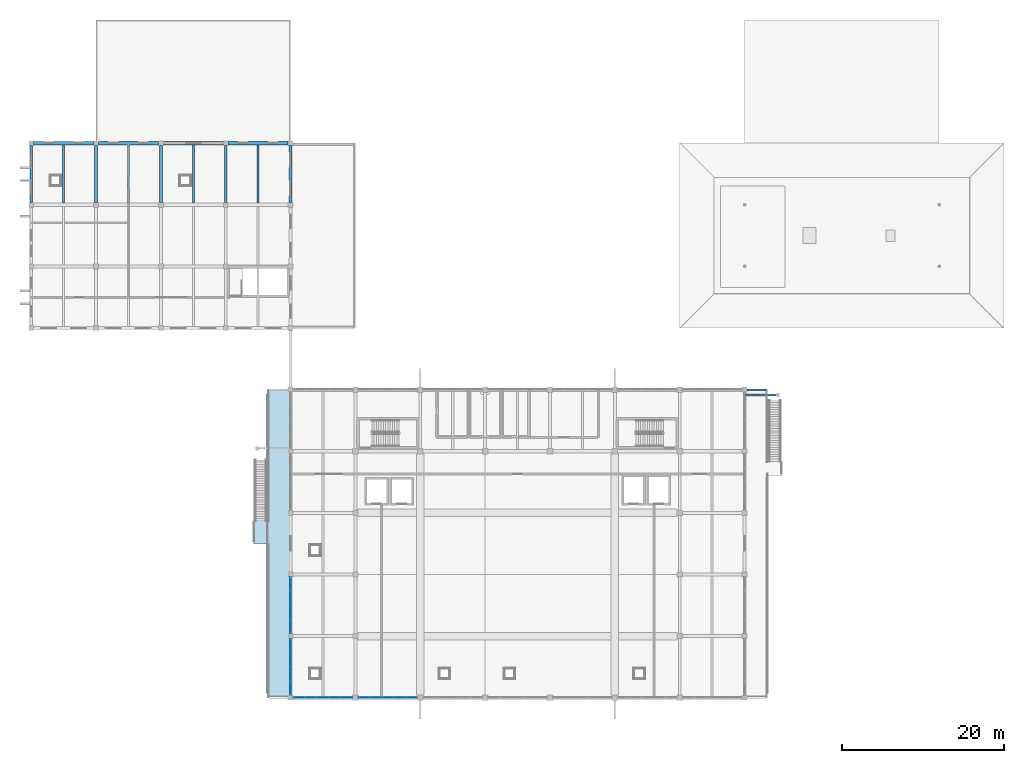
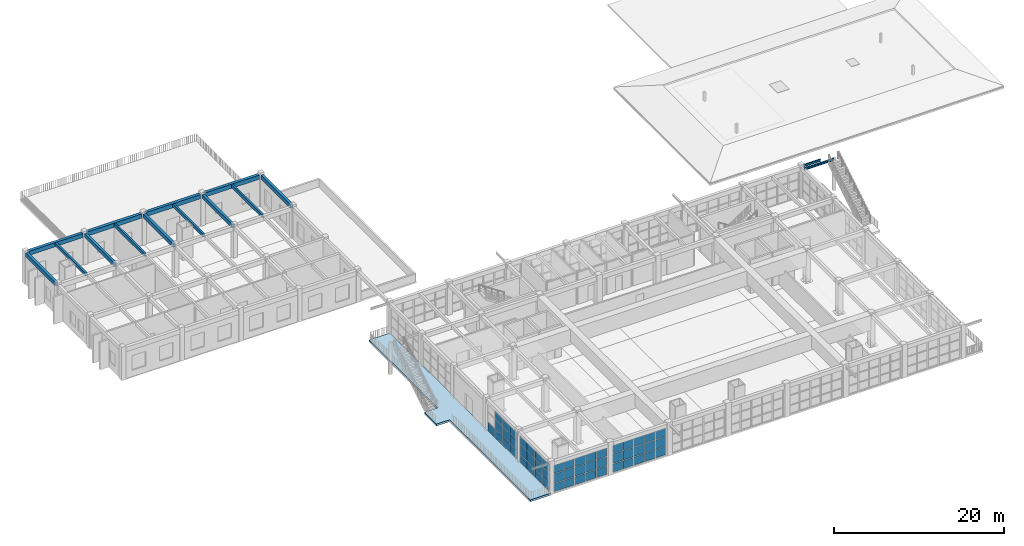
# One storey, part 29 of 50: 52 plates, 15 beams, 1 slab, 4 elements without a shape of their own.
"""IFC4 building model written with IfcOpenShell, lengths in metres."""

from ifc_helpers import new_model, si_unit, direction, frame, origin, origin_2d, place, context, subcontext, project, spatial, polyline, rectangle, i_section, outline, extrude, material, layer, layer_set, material_profile, profile_set, type_object, element, aggregate, save


model = new_model("IFC4")

# Units and contexts
model_context = context("Model", 3, precision=1e-05, world=origin(), true_north=direction((0.0, 1.0)))
body_context = subcontext(model_context, "Body", "Model", "MODEL_VIEW")
ifc_project = project(units=[si_unit("LENGTHUNIT", "METRE"), si_unit("AREAUNIT", "SQUARE_METRE"), si_unit("VOLUMEUNIT", "CUBIC_METRE"), si_unit("PLANEANGLEUNIT", "RADIAN"), si_unit("MASSUNIT", "GRAM", prefix="KILO")], contexts=[model_context])

# Site, building, storey
site_placement = place(None, origin())
site = spatial("IfcSite", under=ifc_project, at=site_placement, CompositionType="ELEMENT")
building_placement = place(site_placement, origin())
building = spatial("IfcBuilding", under=site, at=building_placement, Name="Zantavel Square City Hall", CompositionType="ELEMENT")
storey_placement = place(building_placement, frame((0.0, 0.0, 18.89990234375)))
storey = spatial("IfcBuildingStorey", under=building, at=storey_placement, Name="L05", CompositionType="ELEMENT", Elevation=18.89990234375)

# Beams
ifc_material_1 = material(Name="Concrete C35/45", Category="concrete")
ifc_material_profile_1 = material_profile(ifc_material_1, rectangle(XDim=0.25, YDim=0.449951171875, at=origin_2d()), Name="RC 250x450")
ifc_profile_set_1 = profile_set([ifc_material_profile_1], Name="Concrete C35/45")
beam_type_1 = type_object("IfcBeamType", Name="Light Floor Joist RC 250x450 C35/45", PredefinedType="JOIST", material=ifc_profile_set_1)
for number, where, z_axis, x_axis, name in (
    (1, (28.0, 91.39990234375, 4.295166015625), (0.0, 1.0, 0.0), (-1.0, 0.0, 0.0), "L05 Floor Joist JST-L05-0280-0912"),
    (2, (36.0, 91.39990234375, 4.295166015625), (0.0, 1.0, 0.0), (-1.0, 0.0, 0.0), "L05 Floor Joist JST-L05-0360-0912"),
    (3, (44.0, 91.39990234375, 4.295166015625), (0.0, 1.0, 0.0), (-1.0, 0.0, 0.0), "L05 Floor Joist JST-L05-0440-0912"),
    (4, (52.0, 91.39990234375, 4.295166015625), (0.0, 1.0, 0.0), (-1.0, 0.0, 0.0), "L05 Floor Joist JST-L05-0520-0912"),
):
    element("IfcBeam", number, at=place(storey_placement, frame(where, z_axis=z_axis, x_axis=x_axis)), inside=storey, type_object=beam_type_1, Name=name, PredefinedType="JOIST", context=body_context, shape_type="SweptSolid", body=[
        extrude(rectangle(XDim=0.25, YDim=0.449951171875, at=origin_2d()), origin(), (0.0, 0.0, 1.0), 7.2001953125),
    ])
ifc_material_profile_2 = material_profile(ifc_material_1, rectangle(XDim=0.39990234375, YDim=0.60009765625, at=origin_2d()), Name="RC 400x600")
ifc_profile_set_2 = profile_set([ifc_material_profile_2], Name="Concrete C35/45")
beam_type_2 = type_object("IfcBeamType", Name="Perimeter Spandrel RC 400x600 C35/45", PredefinedType="SPANDREL", material=ifc_profile_set_2)
for number, where, z_axis, x_axis, name in (
    (5, (24.300048828125, 98.800048828125, 4.22021484375), (1.0, 0.0, 0.0), (0.0, 1.0, 0.0), "L05 Girder BMX-L05-0240-0988"),
    (6, (32.300048828125, 98.800048828125, 4.22021484375), (1.0, 0.0, 0.0), (0.0, 1.0, 0.0), "L05 Girder BMX-L05-0320-0988"),
    (7, (40.300048828125, 98.800048828125, 4.22021484375), (1.0, 0.0, 0.0), (0.0, 1.0, 0.0), "L05 Girder BMX-L05-0400-0988"),
    (8, (48.300048828125, 98.800048828125, 4.22021484375), (1.0, 0.0, 0.0), (0.0, 1.0, 0.0), "L05 Girder BMX-L05-0480-0988"),
):
    element("IfcBeam", number, at=place(storey_placement, frame(where, z_axis=z_axis, x_axis=x_axis)), inside=storey, type_object=beam_type_2, Name=name, PredefinedType="SPANDREL", context=body_context, shape_type="SweptSolid", body=[
        extrude(rectangle(XDim=0.39990234375, YDim=0.60009765625, at=origin_2d()), origin(), (0.0, 0.0, 1.0), 7.39990234375),
    ])
ifc_material_profile_3 = material_profile(ifc_material_1, rectangle(XDim=0.35009765625, YDim=0.550048828125, at=origin_2d()), Name="RC 350x550")
ifc_profile_set_3 = profile_set([ifc_material_profile_3], Name="Concrete C35/45")
beam_type_3 = type_object("IfcBeamType", Name="Secondary Beam RC 350x550 C35/45", PredefinedType="BEAM", material=ifc_profile_set_3)
for number, where, z_axis, x_axis, name in (
    (9, (24.0, 91.5, 4.2451171875), (0.0, 1.0, 0.0), (-1.0, 0.0, 0.0), "L05 Beam BMY-L05-0240-0912"),
    (10, (32.0, 91.5, 4.2451171875), (0.0, 1.0, 0.0), (-1.0, 0.0, 0.0), "L05 Beam BMY-L05-0320-0912"),
    (11, (40.0, 91.5, 4.2451171875), (0.0, 1.0, 0.0), (-1.0, 0.0, 0.0), "L05 Beam BMY-L05-0400-0912"),
    (12, (48.0, 91.5, 4.2451171875), (0.0, 1.0, 0.0), (-1.0, 0.0, 0.0), "L05 Beam BMY-L05-0480-0912"),
    (13, (56.0, 91.5, 4.2451171875), (0.0, 1.0, 0.0), (-1.0, 0.0, 0.0), "L05 Beam BMY-L05-0560-0912"),
):
    element("IfcBeam", number, at=place(storey_placement, frame(where, z_axis=z_axis, x_axis=x_axis)), inside=storey, type_object=beam_type_3, Name=name, PredefinedType="BEAM", context=body_context, shape_type="SweptSolid", body=[
        extrude(rectangle(XDim=0.35009765625, YDim=0.550048828125, at=origin_2d()), origin(), (0.0, 0.0, 1.0), 7.0),
    ])
ifc_material_2 = material(Name="Steel ASTM A992 Grade 50", Category="steel")
ifc_material_profile_4 = material_profile(ifc_material_2, i_section(OverallWidth=0.1669921875, OverallDepth=0.31689453125, WebThickness=0.007568359375, FlangeThickness=0.01318359375, at=origin_2d()), Name="W310x52")
ifc_profile_set_4 = profile_set([ifc_material_profile_4], Name="Steel ASTM A992 Grade 50")
beam_type_4 = type_object("IfcBeamType", Name="Tray Corner Cantilever Outrigger W310x52", PredefinedType="BEAM", material=ifc_profile_set_4)
beam_1_placement = place(storey_placement, frame((112.300048828125, 68.39990234375, 4.361572265625), z_axis=(1.0, 0.0, 0.0), x_axis=(0.0, 1.0, 0.0)))
element("IfcBeam", 14, at=beam_1_placement, inside=storey, type_object=beam_type_4, Name="L05 Cantera Tray Outrigger NE", PredefinedType="BEAM", context=body_context, shape_type="SweptSolid", body=[
    extrude(i_section(OverallWidth=0.1669921875, OverallDepth=0.31689453125, WebThickness=0.007568359375, FlangeThickness=0.01318359375, at=origin_2d()), origin(), (0.0, 0.0, 1.0), 2.349853515625),
])
ifc_material_profile_5 = material_profile(ifc_material_2, i_section(OverallWidth=0.202880859375, OverallDepth=0.302978515625, WebThickness=0.007568359375, FlangeThickness=0.01318359375, at=origin_2d()), Name="W310x60")
ifc_profile_set_5 = profile_set([ifc_material_profile_5], Name="Steel ASTM A992 Grade 50")
beam_type_5 = type_object("IfcBeamType", Name="Tray Edge Steel Beam W310x60", PredefinedType="BEAM", material=ifc_profile_set_5)
beam_2_placement = place(storey_placement, frame((112.0, 67.7451171875, 4.37158203125), z_axis=(1.0, 0.0, 0.0), x_axis=(0.0, 1.0, 0.0)))
element("IfcBeam", 15, at=beam_2_placement, inside=storey, type_object=beam_type_5, Name="ST-TR3 L06 Landing Support Beam", PredefinedType="BEAM", context=body_context, shape_type="SweptSolid", body=[
    extrude(i_section(OverallWidth=0.202880859375, OverallDepth=0.302978515625, WebThickness=0.007568359375, FlangeThickness=0.01318359375, at=origin_2d()), origin(), (0.0, 0.0, 1.0), 4.10009765625),
])

# Curtain wall, plates
ifc_material_3 = material(Name="Anodised aluminium 6063-T6", Category="aluminium")
curtain_wall_type_1 = type_object("IfcCurtainWallType", Name="Curtain Wall TRV1 7300x3970", PredefinedType="USERDEFINED", material=ifc_material_3)
curtain_wall_1_placement = place(storey_placement, origin())
curtain_wall_1 = element("IfcCurtainWall", 16, at=curtain_wall_1_placement, inside=storey, type_object=curtain_wall_type_1, Name="L05 Glazed Curtain Wall CW-L05-138", ObjectType="GLAZED CURTAIN WALL", PredefinedType="USERDEFINED")
ifc_material_4 = material(Name="Tempered safety glass low-E double glazing", Category="glass")
ifc_layer_1 = layer(ifc_material_4, 0.028076171875, Name="Tempered safety glass low-E double glazing")
ifc_layer_set_1 = layer_set([ifc_layer_1], Name="Tempered safety glass low-E double glazing")
plate_type_1 = type_object("IfcPlateType", Name="Low-E Curtain Glazing Panel 1460x1323x28", PredefinedType="CURTAIN_PANEL", material=ifc_layer_set_1)
plate_1_placement = place(storey_placement, frame((70.905029296875, 30.39990234375, 0.06005859375), z_axis=(0.0, 0.0, 1.0), x_axis=(-1.0, 0.0, 0.0)))
plate_1 = element("IfcPlate", 17, at=plate_1_placement, type_object=plate_type_1, Name="CW-138 panel 1.1", PredefinedType="CURTAIN_PANEL", context=body_context, shape_type="SweptSolid", body=[
    extrude(rectangle(XDim=1.3701171875, YDim=0.028076171875, at=origin_2d()), origin(), (0.0, 0.0, 1.0), 1.179931640625),
])
plate_2_placement = place(storey_placement, frame((70.905029296875, 30.39990234375, 1.300048828125), z_axis=(0.0, 0.0, 1.0), x_axis=(-1.0, 0.0, 0.0)))
plate_2 = element("IfcPlate", 18, at=plate_2_placement, type_object=plate_type_1, Name="CW-138 panel 1.2", PredefinedType="CURTAIN_PANEL", context=body_context, shape_type="SweptSolid", body=[
    extrude(rectangle(XDim=1.3701171875, YDim=0.028076171875, at=origin_2d()), origin(), (0.0, 0.0, 1.0), 1.3701171875),
])
plate_3_placement = place(storey_placement, frame((70.905029296875, 30.39990234375, 2.72998046875), z_axis=(0.0, 0.0, 1.0), x_axis=(-1.0, 0.0, 0.0)))
plate_3 = element("IfcPlate", 19, at=plate_3_placement, type_object=plate_type_1, Name="CW-138 panel 1.3", PredefinedType="CURTAIN_PANEL", context=body_context, shape_type="SweptSolid", body=[
    extrude(rectangle(XDim=1.3701171875, YDim=0.028076171875, at=origin_2d()), origin(), (0.0, 0.0, 1.0), 1.179931640625),
])
plate_4_placement = place(storey_placement, frame((69.4599609375, 30.39990234375, 0.06005859375), z_axis=(0.0, 0.0, 1.0), x_axis=(-1.0, 0.0, 0.0)))
plate_4 = element("IfcPlate", 20, at=plate_4_placement, type_object=plate_type_1, Name="CW-138 panel 2.1", PredefinedType="CURTAIN_PANEL", context=body_context, shape_type="SweptSolid", body=[
    extrude(rectangle(XDim=1.39990234375, YDim=0.028076171875, at=origin_2d()), origin(), (0.0, 0.0, 1.0), 1.179931640625),
])
plate_5_placement = place(storey_placement, frame((69.4599609375, 30.39990234375, 1.300048828125), z_axis=(0.0, 0.0, 1.0), x_axis=(-1.0, 0.0, 0.0)))
plate_5 = element("IfcPlate", 21, at=plate_5_placement, type_object=plate_type_1, Name="CW-138 panel 2.2", PredefinedType="CURTAIN_PANEL", context=body_context, shape_type="SweptSolid", body=[
    extrude(rectangle(XDim=1.39990234375, YDim=0.028076171875, at=origin_2d()), origin(), (0.0, 0.0, 1.0), 1.3701171875),
])
plate_6_placement = place(storey_placement, frame((69.4599609375, 30.39990234375, 2.72998046875), z_axis=(0.0, 0.0, 1.0), x_axis=(-1.0, 0.0, 0.0)))
plate_6 = element("IfcPlate", 22, at=plate_6_placement, type_object=plate_type_1, Name="CW-138 panel 2.3", PredefinedType="CURTAIN_PANEL", context=body_context, shape_type="SweptSolid", body=[
    extrude(rectangle(XDim=1.39990234375, YDim=0.028076171875, at=origin_2d()), origin(), (0.0, 0.0, 1.0), 1.179931640625),
])
plate_7_placement = place(storey_placement, frame((68.0, 30.39990234375, 0.06005859375), z_axis=(0.0, 0.0, 1.0), x_axis=(-1.0, 0.0, 0.0)))
plate_7 = element("IfcPlate", 23, at=plate_7_placement, type_object=plate_type_1, Name="CW-138 panel 3.1", PredefinedType="CURTAIN_PANEL", context=body_context, shape_type="SweptSolid", body=[
    extrude(rectangle(XDim=1.39990234375, YDim=0.028076171875, at=origin_2d()), origin(), (0.0, 0.0, 1.0), 1.179931640625),
])
plate_8_placement = place(storey_placement, frame((68.0, 30.39990234375, 1.300048828125), z_axis=(0.0, 0.0, 1.0), x_axis=(-1.0, 0.0, 0.0)))
plate_8 = element("IfcPlate", 24, at=plate_8_placement, type_object=plate_type_1, Name="CW-138 panel 3.2", PredefinedType="CURTAIN_PANEL", context=body_context, shape_type="SweptSolid", body=[
    extrude(rectangle(XDim=1.39990234375, YDim=0.028076171875, at=origin_2d()), origin(), (0.0, 0.0, 1.0), 1.3701171875),
])
plate_9_placement = place(storey_placement, frame((68.0, 30.39990234375, 2.72998046875), z_axis=(0.0, 0.0, 1.0), x_axis=(-1.0, 0.0, 0.0)))
plate_9 = element("IfcPlate", 25, at=plate_9_placement, type_object=plate_type_1, Name="CW-138 panel 3.3", PredefinedType="CURTAIN_PANEL", context=body_context, shape_type="SweptSolid", body=[
    extrude(rectangle(XDim=1.39990234375, YDim=0.028076171875, at=origin_2d()), origin(), (0.0, 0.0, 1.0), 1.179931640625),
])
plate_10_placement = place(storey_placement, frame((66.5400390625, 30.39990234375, 0.06005859375), z_axis=(0.0, 0.0, 1.0), x_axis=(-1.0, 0.0, 0.0)))
plate_10 = element("IfcPlate", 26, at=plate_10_placement, type_object=plate_type_1, Name="CW-138 panel 4.1", PredefinedType="CURTAIN_PANEL", context=body_context, shape_type="SweptSolid", body=[
    extrude(rectangle(XDim=1.39990234375, YDim=0.028076171875, at=origin_2d()), origin(), (0.0, 0.0, 1.0), 1.179931640625),
])
plate_11_placement = place(storey_placement, frame((66.5400390625, 30.39990234375, 1.300048828125), z_axis=(0.0, 0.0, 1.0), x_axis=(-1.0, 0.0, 0.0)))
plate_11 = element("IfcPlate", 27, at=plate_11_placement, type_object=plate_type_1, Name="CW-138 panel 4.2", PredefinedType="CURTAIN_PANEL", context=body_context, shape_type="SweptSolid", body=[
    extrude(rectangle(XDim=1.39990234375, YDim=0.028076171875, at=origin_2d()), origin(), (0.0, 0.0, 1.0), 1.3701171875),
])
plate_12_placement = place(storey_placement, frame((66.5400390625, 30.39990234375, 2.72998046875), z_axis=(0.0, 0.0, 1.0), x_axis=(-1.0, 0.0, 0.0)))
plate_12 = element("IfcPlate", 28, at=plate_12_placement, type_object=plate_type_1, Name="CW-138 panel 4.3", PredefinedType="CURTAIN_PANEL", context=body_context, shape_type="SweptSolid", body=[
    extrude(rectangle(XDim=1.39990234375, YDim=0.028076171875, at=origin_2d()), origin(), (0.0, 0.0, 1.0), 1.179931640625),
])
plate_13_placement = place(storey_placement, frame((65.094970703125, 30.39990234375, 0.06005859375), z_axis=(0.0, 0.0, 1.0), x_axis=(-1.0, 0.0, 0.0)))
plate_13 = element("IfcPlate", 29, at=plate_13_placement, type_object=plate_type_1, Name="CW-138 panel 5.1", PredefinedType="CURTAIN_PANEL", context=body_context, shape_type="SweptSolid", body=[
    extrude(rectangle(XDim=1.3701171875, YDim=0.028076171875, at=origin_2d()), origin(), (0.0, 0.0, 1.0), 1.179931640625),
])
plate_14_placement = place(storey_placement, frame((65.094970703125, 30.39990234375, 1.300048828125), z_axis=(0.0, 0.0, 1.0), x_axis=(-1.0, 0.0, 0.0)))
plate_14 = element("IfcPlate", 30, at=plate_14_placement, type_object=plate_type_1, Name="CW-138 panel 5.2", PredefinedType="CURTAIN_PANEL", context=body_context, shape_type="SweptSolid", body=[
    extrude(rectangle(XDim=1.3701171875, YDim=0.028076171875, at=origin_2d()), origin(), (0.0, 0.0, 1.0), 1.3701171875),
])
plate_15_placement = place(storey_placement, frame((65.094970703125, 30.39990234375, 2.72998046875), z_axis=(0.0, 0.0, 1.0), x_axis=(-1.0, 0.0, 0.0)))
plate_15 = element("IfcPlate", 31, at=plate_15_placement, type_object=plate_type_1, Name="CW-138 panel 5.3", PredefinedType="CURTAIN_PANEL", context=body_context, shape_type="SweptSolid", body=[
    extrude(rectangle(XDim=1.3701171875, YDim=0.028076171875, at=origin_2d()), origin(), (0.0, 0.0, 1.0), 1.179931640625),
])
aggregate(curtain_wall_1, [plate_1, plate_2, plate_3, plate_4, plate_5, plate_6, plate_7, plate_8, plate_9, plate_10, plate_11, plate_12, plate_13, plate_14, plate_15])

curtain_wall_type_2 = type_object("IfcCurtainWallType", Name="Curtain Wall TRV1 7350x3920", PredefinedType="USERDEFINED", material=ifc_material_3)
curtain_wall_2_placement = place(storey_placement, origin())
curtain_wall_2 = element("IfcCurtainWall", 32, at=curtain_wall_2_placement, inside=storey, type_object=curtain_wall_type_2, Name="L05 Glazed Curtain Wall CW-L05-139", ObjectType="GLAZED CURTAIN WALL", PredefinedType="USERDEFINED")
ifc_layer_2 = layer(ifc_material_4, 0.028076171875, Name="Tempered safety glass low-E double glazing")
ifc_layer_set_2 = layer_set([ifc_layer_2], Name="Tempered safety glass low-E double glazing")
plate_type_2 = type_object("IfcPlateType", Name="Low-E Curtain Glazing Panel 1470x1307x28", PredefinedType="CURTAIN_PANEL", material=ifc_layer_set_2)
plate_16_placement = place(storey_placement, frame((62.89990234375, 30.39990234375, 0.06005859375), z_axis=(0.0, 0.0, 1.0), x_axis=(-1.0, 0.0, 0.0)))
plate_16 = element("IfcPlate", 33, at=plate_16_placement, type_object=plate_type_2, Name="CW-139 panel 1.1", PredefinedType="CURTAIN_PANEL", context=body_context, shape_type="SweptSolid", body=[
    extrude(rectangle(XDim=1.3798828125, YDim=0.028076171875, at=origin_2d()), origin(), (0.0, 0.0, 1.0), 1.1640625),
])
plate_17_placement = place(storey_placement, frame((62.89990234375, 30.39990234375, 1.2841796875), z_axis=(0.0, 0.0, 1.0), x_axis=(-1.0, 0.0, 0.0)))
plate_17 = element("IfcPlate", 34, at=plate_17_placement, type_object=plate_type_2, Name="CW-139 panel 1.2", PredefinedType="CURTAIN_PANEL", context=body_context, shape_type="SweptSolid", body=[
    extrude(rectangle(XDim=1.3798828125, YDim=0.028076171875, at=origin_2d()), origin(), (0.0, 0.0, 1.0), 1.35205078125),
])
plate_18_placement = place(storey_placement, frame((62.89990234375, 30.39990234375, 2.696044921875), z_axis=(0.0, 0.0, 1.0), x_axis=(-1.0, 0.0, 0.0)))
plate_18 = element("IfcPlate", 35, at=plate_18_placement, type_object=plate_type_2, Name="CW-139 panel 1.3", PredefinedType="CURTAIN_PANEL", context=body_context, shape_type="SweptSolid", body=[
    extrude(rectangle(XDim=1.3798828125, YDim=0.028076171875, at=origin_2d()), origin(), (0.0, 0.0, 1.0), 1.1640625),
])
plate_19_placement = place(storey_placement, frame((61.445068359375, 30.39990234375, 0.06005859375), z_axis=(0.0, 0.0, 1.0), x_axis=(-1.0, 0.0, 0.0)))
plate_19 = element("IfcPlate", 36, at=plate_19_placement, type_object=plate_type_2, Name="CW-139 panel 2.1", PredefinedType="CURTAIN_PANEL", context=body_context, shape_type="SweptSolid", body=[
    extrude(rectangle(XDim=1.409912109375, YDim=0.028076171875, at=origin_2d()), origin(), (0.0, 0.0, 1.0), 1.1640625),
])
plate_20_placement = place(storey_placement, frame((61.445068359375, 30.39990234375, 1.2841796875), z_axis=(0.0, 0.0, 1.0), x_axis=(-1.0, 0.0, 0.0)))
plate_20 = element("IfcPlate", 37, at=plate_20_placement, type_object=plate_type_2, Name="CW-139 panel 2.2", PredefinedType="CURTAIN_PANEL", context=body_context, shape_type="SweptSolid", body=[
    extrude(rectangle(XDim=1.409912109375, YDim=0.028076171875, at=origin_2d()), origin(), (0.0, 0.0, 1.0), 1.35205078125),
])
plate_21_placement = place(storey_placement, frame((61.445068359375, 30.39990234375, 2.696044921875), z_axis=(0.0, 0.0, 1.0), x_axis=(-1.0, 0.0, 0.0)))
plate_21 = element("IfcPlate", 38, at=plate_21_placement, type_object=plate_type_2, Name="CW-139 panel 2.3", PredefinedType="CURTAIN_PANEL", context=body_context, shape_type="SweptSolid", body=[
    extrude(rectangle(XDim=1.409912109375, YDim=0.028076171875, at=origin_2d()), origin(), (0.0, 0.0, 1.0), 1.1640625),
])
plate_22_placement = place(storey_placement, frame((59.97509765625, 30.39990234375, 0.06005859375), z_axis=(0.0, 0.0, 1.0), x_axis=(-1.0, 0.0, 0.0)))
plate_22 = element("IfcPlate", 39, at=plate_22_placement, type_object=plate_type_2, Name="CW-139 panel 3.1", PredefinedType="CURTAIN_PANEL", context=body_context, shape_type="SweptSolid", body=[
    extrude(rectangle(XDim=1.409912109375, YDim=0.028076171875, at=origin_2d()), origin(), (0.0, 0.0, 1.0), 1.1640625),
])
plate_23_placement = place(storey_placement, frame((59.97509765625, 30.39990234375, 1.2841796875), z_axis=(0.0, 0.0, 1.0), x_axis=(-1.0, 0.0, 0.0)))
plate_23 = element("IfcPlate", 40, at=plate_23_placement, type_object=plate_type_2, Name="CW-139 panel 3.2", PredefinedType="CURTAIN_PANEL", context=body_context, shape_type="SweptSolid", body=[
    extrude(rectangle(XDim=1.409912109375, YDim=0.028076171875, at=origin_2d()), origin(), (0.0, 0.0, 1.0), 1.35205078125),
])
plate_24_placement = place(storey_placement, frame((59.97509765625, 30.39990234375, 2.696044921875), z_axis=(0.0, 0.0, 1.0), x_axis=(-1.0, 0.0, 0.0)))
plate_24 = element("IfcPlate", 41, at=plate_24_placement, type_object=plate_type_2, Name="CW-139 panel 3.3", PredefinedType="CURTAIN_PANEL", context=body_context, shape_type="SweptSolid", body=[
    extrude(rectangle(XDim=1.409912109375, YDim=0.028076171875, at=origin_2d()), origin(), (0.0, 0.0, 1.0), 1.1640625),
])
plate_25_placement = place(storey_placement, frame((58.5048828125, 30.39990234375, 0.06005859375), z_axis=(0.0, 0.0, 1.0), x_axis=(-1.0, 0.0, 0.0)))
plate_25 = element("IfcPlate", 42, at=plate_25_placement, type_object=plate_type_2, Name="CW-139 panel 4.1", PredefinedType="CURTAIN_PANEL", context=body_context, shape_type="SweptSolid", body=[
    extrude(rectangle(XDim=1.409912109375, YDim=0.028076171875, at=origin_2d()), origin(), (0.0, 0.0, 1.0), 1.1640625),
])
plate_26_placement = place(storey_placement, frame((58.5048828125, 30.39990234375, 1.2841796875), z_axis=(0.0, 0.0, 1.0), x_axis=(-1.0, 0.0, 0.0)))
plate_26 = element("IfcPlate", 43, at=plate_26_placement, type_object=plate_type_2, Name="CW-139 panel 4.2", PredefinedType="CURTAIN_PANEL", context=body_context, shape_type="SweptSolid", body=[
    extrude(rectangle(XDim=1.409912109375, YDim=0.028076171875, at=origin_2d()), origin(), (0.0, 0.0, 1.0), 1.35205078125),
])
plate_27_placement = place(storey_placement, frame((58.5048828125, 30.39990234375, 2.696044921875), z_axis=(0.0, 0.0, 1.0), x_axis=(-1.0, 0.0, 0.0)))
plate_27 = element("IfcPlate", 44, at=plate_27_placement, type_object=plate_type_2, Name="CW-139 panel 4.3", PredefinedType="CURTAIN_PANEL", context=body_context, shape_type="SweptSolid", body=[
    extrude(rectangle(XDim=1.409912109375, YDim=0.028076171875, at=origin_2d()), origin(), (0.0, 0.0, 1.0), 1.1640625),
])
plate_28_placement = place(storey_placement, frame((57.050048828125, 30.39990234375, 0.06005859375), z_axis=(0.0, 0.0, 1.0), x_axis=(-1.0, 0.0, 0.0)))
plate_28 = element("IfcPlate", 45, at=plate_28_placement, type_object=plate_type_2, Name="CW-139 panel 5.1", PredefinedType="CURTAIN_PANEL", context=body_context, shape_type="SweptSolid", body=[
    extrude(rectangle(XDim=1.3798828125, YDim=0.028076171875, at=origin_2d()), origin(), (0.0, 0.0, 1.0), 1.1640625),
])
plate_29_placement = place(storey_placement, frame((57.050048828125, 30.39990234375, 1.2841796875), z_axis=(0.0, 0.0, 1.0), x_axis=(-1.0, 0.0, 0.0)))
plate_29 = element("IfcPlate", 46, at=plate_29_placement, type_object=plate_type_2, Name="CW-139 panel 5.2", PredefinedType="CURTAIN_PANEL", context=body_context, shape_type="SweptSolid", body=[
    extrude(rectangle(XDim=1.3798828125, YDim=0.028076171875, at=origin_2d()), origin(), (0.0, 0.0, 1.0), 1.35205078125),
])
plate_30_placement = place(storey_placement, frame((57.050048828125, 30.39990234375, 2.696044921875), z_axis=(0.0, 0.0, 1.0), x_axis=(-1.0, 0.0, 0.0)))
plate_30 = element("IfcPlate", 47, at=plate_30_placement, type_object=plate_type_2, Name="CW-139 panel 5.3", PredefinedType="CURTAIN_PANEL", context=body_context, shape_type="SweptSolid", body=[
    extrude(rectangle(XDim=1.3798828125, YDim=0.028076171875, at=origin_2d()), origin(), (0.0, 0.0, 1.0), 1.1640625),
])
aggregate(curtain_wall_2, [plate_16, plate_17, plate_18, plate_19, plate_20, plate_21, plate_22, plate_23, plate_24, plate_25, plate_26, plate_27, plate_28, plate_29, plate_30])

curtain_wall_type_3 = type_object("IfcCurtainWallType", Name="Curtain Wall TRV1 7000x3970", PredefinedType="USERDEFINED", material=ifc_material_3)
curtain_wall_3_placement = place(storey_placement, origin())
curtain_wall_3 = element("IfcCurtainWall", 48, at=curtain_wall_3_placement, inside=storey, type_object=curtain_wall_type_3, Name="L05 Glazed Curtain Wall CW-L05-140", ObjectType="GLAZED CURTAIN WALL", PredefinedType="USERDEFINED")
ifc_layer_3 = layer(ifc_material_4, 0.028076171875, Name="Tempered safety glass low-E double glazing")
ifc_layer_set_3 = layer_set([ifc_layer_3], Name="Tempered safety glass low-E double glazing")
plate_type_3 = type_object("IfcPlateType", Name="Low-E Curtain Glazing Panel 1750x1323x28", PredefinedType="CURTAIN_PANEL", material=ifc_layer_set_3)
plate_31_placement = place(storey_placement, frame((56.0, 31.590087890625, 0.06005859375), z_axis=(0.0, 0.0, 1.0), x_axis=(0.0, 1.0, 0.0)))
plate_31 = element("IfcPlate", 49, at=plate_31_placement, type_object=plate_type_3, Name="CW-140 panel 1.1", PredefinedType="CURTAIN_PANEL", context=body_context, shape_type="SweptSolid", body=[
    extrude(rectangle(XDim=1.659912109375, YDim=0.028076171875, at=origin_2d()), origin(), (0.0, 0.0, 1.0), 1.179931640625),
])
plate_32_placement = place(storey_placement, frame((56.0, 31.590087890625, 1.300048828125), z_axis=(0.0, 0.0, 1.0), x_axis=(0.0, 1.0, 0.0)))
plate_32 = element("IfcPlate", 50, at=plate_32_placement, type_object=plate_type_3, Name="CW-140 panel 1.2", PredefinedType="CURTAIN_PANEL", context=body_context, shape_type="SweptSolid", body=[
    extrude(rectangle(XDim=1.659912109375, YDim=0.028076171875, at=origin_2d()), origin(), (0.0, 0.0, 1.0), 1.3701171875),
])
plate_33_placement = place(storey_placement, frame((56.0, 31.590087890625, 2.72998046875), z_axis=(0.0, 0.0, 1.0), x_axis=(0.0, 1.0, 0.0)))
plate_33 = element("IfcPlate", 51, at=plate_33_placement, type_object=plate_type_3, Name="CW-140 panel 1.3", PredefinedType="CURTAIN_PANEL", context=body_context, shape_type="SweptSolid", body=[
    extrude(rectangle(XDim=1.659912109375, YDim=0.028076171875, at=origin_2d()), origin(), (0.0, 0.0, 1.0), 1.179931640625),
])
plate_34_placement = place(storey_placement, frame((56.0, 33.324951171875, 0.06005859375), z_axis=(0.0, 0.0, 1.0), x_axis=(0.0, 1.0, 0.0)))
plate_34 = element("IfcPlate", 52, at=plate_34_placement, type_object=plate_type_3, Name="CW-140 panel 2.1", PredefinedType="CURTAIN_PANEL", context=body_context, shape_type="SweptSolid", body=[
    extrude(rectangle(XDim=1.68994140625, YDim=0.028076171875, at=origin_2d()), origin(), (0.0, 0.0, 1.0), 1.179931640625),
])
plate_35_placement = place(storey_placement, frame((56.0, 33.324951171875, 1.300048828125), z_axis=(0.0, 0.0, 1.0), x_axis=(0.0, 1.0, 0.0)))
plate_35 = element("IfcPlate", 53, at=plate_35_placement, type_object=plate_type_3, Name="CW-140 panel 2.2", PredefinedType="CURTAIN_PANEL", context=body_context, shape_type="SweptSolid", body=[
    extrude(rectangle(XDim=1.68994140625, YDim=0.028076171875, at=origin_2d()), origin(), (0.0, 0.0, 1.0), 1.3701171875),
])
plate_36_placement = place(storey_placement, frame((56.0, 33.324951171875, 2.72998046875), z_axis=(0.0, 0.0, 1.0), x_axis=(0.0, 1.0, 0.0)))
plate_36 = element("IfcPlate", 54, at=plate_36_placement, type_object=plate_type_3, Name="CW-140 panel 2.3", PredefinedType="CURTAIN_PANEL", context=body_context, shape_type="SweptSolid", body=[
    extrude(rectangle(XDim=1.68994140625, YDim=0.028076171875, at=origin_2d()), origin(), (0.0, 0.0, 1.0), 1.179931640625),
])
plate_37_placement = place(storey_placement, frame((56.0, 35.074951171875, 0.06005859375), z_axis=(0.0, 0.0, 1.0), x_axis=(0.0, 1.0, 0.0)))
plate_37 = element("IfcPlate", 55, at=plate_37_placement, type_object=plate_type_3, Name="CW-140 panel 3.1", PredefinedType="CURTAIN_PANEL", context=body_context, shape_type="SweptSolid", body=[
    extrude(rectangle(XDim=1.68994140625, YDim=0.028076171875, at=origin_2d()), origin(), (0.0, 0.0, 1.0), 1.179931640625),
])
plate_38_placement = place(storey_placement, frame((56.0, 35.074951171875, 1.300048828125), z_axis=(0.0, 0.0, 1.0), x_axis=(0.0, 1.0, 0.0)))
plate_38 = element("IfcPlate", 56, at=plate_38_placement, type_object=plate_type_3, Name="CW-140 panel 3.2", PredefinedType="CURTAIN_PANEL", context=body_context, shape_type="SweptSolid", body=[
    extrude(rectangle(XDim=1.68994140625, YDim=0.028076171875, at=origin_2d()), origin(), (0.0, 0.0, 1.0), 1.3701171875),
])
plate_39_placement = place(storey_placement, frame((56.0, 35.074951171875, 2.72998046875), z_axis=(0.0, 0.0, 1.0), x_axis=(0.0, 1.0, 0.0)))
plate_39 = element("IfcPlate", 57, at=plate_39_placement, type_object=plate_type_3, Name="CW-140 panel 3.3", PredefinedType="CURTAIN_PANEL", context=body_context, shape_type="SweptSolid", body=[
    extrude(rectangle(XDim=1.68994140625, YDim=0.028076171875, at=origin_2d()), origin(), (0.0, 0.0, 1.0), 1.179931640625),
])
plate_40_placement = place(storey_placement, frame((56.0, 36.81005859375, 0.06005859375), z_axis=(0.0, 0.0, 1.0), x_axis=(0.0, 1.0, 0.0)))
plate_40 = element("IfcPlate", 58, at=plate_40_placement, type_object=plate_type_3, Name="CW-140 panel 4.1", PredefinedType="CURTAIN_PANEL", context=body_context, shape_type="SweptSolid", body=[
    extrude(rectangle(XDim=1.659912109375, YDim=0.028076171875, at=origin_2d()), origin(), (0.0, 0.0, 1.0), 1.179931640625),
])
plate_41_placement = place(storey_placement, frame((56.0, 36.81005859375, 1.300048828125), z_axis=(0.0, 0.0, 1.0), x_axis=(0.0, 1.0, 0.0)))
plate_41 = element("IfcPlate", 59, at=plate_41_placement, type_object=plate_type_3, Name="CW-140 panel 4.2", PredefinedType="CURTAIN_PANEL", context=body_context, shape_type="SweptSolid", body=[
    extrude(rectangle(XDim=1.659912109375, YDim=0.028076171875, at=origin_2d()), origin(), (0.0, 0.0, 1.0), 1.3701171875),
])
plate_42_placement = place(storey_placement, frame((56.0, 36.81005859375, 2.72998046875), z_axis=(0.0, 0.0, 1.0), x_axis=(0.0, 1.0, 0.0)))
plate_42 = element("IfcPlate", 60, at=plate_42_placement, type_object=plate_type_3, Name="CW-140 panel 4.3", PredefinedType="CURTAIN_PANEL", context=body_context, shape_type="SweptSolid", body=[
    extrude(rectangle(XDim=1.659912109375, YDim=0.028076171875, at=origin_2d()), origin(), (0.0, 0.0, 1.0), 1.179931640625),
])
aggregate(curtain_wall_3, [plate_31, plate_32, plate_33, plate_34, plate_35, plate_36, plate_37, plate_38, plate_39, plate_40, plate_41, plate_42])

curtain_wall_4_placement = place(storey_placement, origin())
curtain_wall_4 = element("IfcCurtainWall", 61, at=curtain_wall_4_placement, inside=storey, type_object=curtain_wall_type_3, Name="L05 Glazed Curtain Wall CW-L05-141", ObjectType="GLAZED CURTAIN WALL", PredefinedType="USERDEFINED")
plate_43_placement = place(storey_placement, frame((56.0, 39.18994140625, 0.06005859375), z_axis=(0.0, 0.0, 1.0), x_axis=(0.0, 1.0, 0.0)))
plate_43 = element("IfcPlate", 62, at=plate_43_placement, type_object=plate_type_3, Name="CW-141 panel 1.1", PredefinedType="CURTAIN_PANEL", context=body_context, shape_type="SweptSolid", body=[
    extrude(rectangle(XDim=1.659912109375, YDim=0.028076171875, at=origin_2d()), origin(), (0.0, 0.0, 1.0), 1.179931640625),
])
plate_44_placement = place(storey_placement, frame((56.0, 39.18994140625, 1.300048828125), z_axis=(0.0, 0.0, 1.0), x_axis=(0.0, 1.0, 0.0)))
plate_44 = element("IfcPlate", 63, at=plate_44_placement, type_object=plate_type_3, Name="CW-141 panel 1.2", PredefinedType="CURTAIN_PANEL", context=body_context, shape_type="SweptSolid", body=[
    extrude(rectangle(XDim=1.659912109375, YDim=0.028076171875, at=origin_2d()), origin(), (0.0, 0.0, 1.0), 1.3701171875),
])
plate_45_placement = place(storey_placement, frame((56.0, 39.18994140625, 2.72998046875), z_axis=(0.0, 0.0, 1.0), x_axis=(0.0, 1.0, 0.0)))
plate_45 = element("IfcPlate", 64, at=plate_45_placement, type_object=plate_type_3, Name="CW-141 panel 1.3", PredefinedType="CURTAIN_PANEL", context=body_context, shape_type="SweptSolid", body=[
    extrude(rectangle(XDim=1.659912109375, YDim=0.028076171875, at=origin_2d()), origin(), (0.0, 0.0, 1.0), 1.179931640625),
])
plate_46_placement = place(storey_placement, frame((56.0, 40.925048828125, 0.06005859375), z_axis=(0.0, 0.0, 1.0), x_axis=(0.0, 1.0, 0.0)))
plate_46 = element("IfcPlate", 65, at=plate_46_placement, type_object=plate_type_3, Name="CW-141 panel 2.1", PredefinedType="CURTAIN_PANEL", context=body_context, shape_type="SweptSolid", body=[
    extrude(rectangle(XDim=1.68994140625, YDim=0.028076171875, at=origin_2d()), origin(), (0.0, 0.0, 1.0), 1.179931640625),
])
plate_47_placement = place(storey_placement, frame((56.0, 40.925048828125, 1.300048828125), z_axis=(0.0, 0.0, 1.0), x_axis=(0.0, 1.0, 0.0)))
plate_47 = element("IfcPlate", 66, at=plate_47_placement, type_object=plate_type_3, Name="CW-141 panel 2.2", PredefinedType="CURTAIN_PANEL", context=body_context, shape_type="SweptSolid", body=[
    extrude(rectangle(XDim=1.68994140625, YDim=0.028076171875, at=origin_2d()), origin(), (0.0, 0.0, 1.0), 1.3701171875),
])
plate_48_placement = place(storey_placement, frame((56.0, 40.925048828125, 2.72998046875), z_axis=(0.0, 0.0, 1.0), x_axis=(0.0, 1.0, 0.0)))
plate_48 = element("IfcPlate", 67, at=plate_48_placement, type_object=plate_type_3, Name="CW-141 panel 2.3", PredefinedType="CURTAIN_PANEL", context=body_context, shape_type="SweptSolid", body=[
    extrude(rectangle(XDim=1.68994140625, YDim=0.028076171875, at=origin_2d()), origin(), (0.0, 0.0, 1.0), 1.179931640625),
])
plate_49_placement = place(storey_placement, frame((56.0, 42.675048828125, 0.06005859375), z_axis=(0.0, 0.0, 1.0), x_axis=(0.0, 1.0, 0.0)))
plate_49 = element("IfcPlate", 68, at=plate_49_placement, type_object=plate_type_3, Name="CW-141 panel 3.1", PredefinedType="CURTAIN_PANEL", context=body_context, shape_type="SweptSolid", body=[
    extrude(rectangle(XDim=1.68994140625, YDim=0.028076171875, at=origin_2d()), origin(), (0.0, 0.0, 1.0), 1.179931640625),
])
plate_50_placement = place(storey_placement, frame((56.0, 42.675048828125, 1.300048828125), z_axis=(0.0, 0.0, 1.0), x_axis=(0.0, 1.0, 0.0)))
plate_50 = element("IfcPlate", 69, at=plate_50_placement, type_object=plate_type_3, Name="CW-141 panel 3.2", PredefinedType="CURTAIN_PANEL", context=body_context, shape_type="SweptSolid", body=[
    extrude(rectangle(XDim=1.68994140625, YDim=0.028076171875, at=origin_2d()), origin(), (0.0, 0.0, 1.0), 1.3701171875),
])
plate_51_placement = place(storey_placement, frame((56.0, 42.675048828125, 2.72998046875), z_axis=(0.0, 0.0, 1.0), x_axis=(0.0, 1.0, 0.0)))
plate_51 = element("IfcPlate", 70, at=plate_51_placement, type_object=plate_type_3, Name="CW-141 panel 3.3", PredefinedType="CURTAIN_PANEL", context=body_context, shape_type="SweptSolid", body=[
    extrude(rectangle(XDim=1.68994140625, YDim=0.028076171875, at=origin_2d()), origin(), (0.0, 0.0, 1.0), 1.179931640625),
])
plate_52_placement = place(storey_placement, frame((56.0, 44.409912109375, 0.06005859375), z_axis=(0.0, 0.0, 1.0), x_axis=(0.0, 1.0, 0.0)))
plate_52 = element("IfcPlate", 71, at=plate_52_placement, type_object=plate_type_3, Name="CW-141 panel 4.1", PredefinedType="CURTAIN_PANEL", context=body_context, shape_type="SweptSolid", body=[
    extrude(rectangle(XDim=1.659912109375, YDim=0.028076171875, at=origin_2d()), origin(), (0.0, 0.0, 1.0), 1.179931640625),
])
aggregate(curtain_wall_4, [plate_43, plate_44, plate_45, plate_46, plate_47, plate_48, plate_49, plate_50, plate_51, plate_52])

# Slab
ifc_material_5 = material(Name="Precast concrete C40/50", Category="concrete")
ifc_layer_4 = layer(ifc_material_5, 0.280029296875, Name="Precast concrete C40/50")
ifc_layer_set_4 = layer_set([ifc_layer_4], Name="Precast concrete C40/50")
slab_type = type_object("IfcSlabType", Name="White Cantera Tray Slab 280mm C40/50", PredefinedType="FLOOR", material=ifc_layer_set_4)
slab_placement = place(storey_placement, frame((0.0, 0.0, -0.27978515625)))
element("IfcSlab", 72, at=slab_placement, inside=storey, type_object=slab_type, Name="L05 Outdoor Terrace Slab SLB-L05-TRAY3-W", PredefinedType="FLOOR", context=body_context, shape_type="SweptSolid", body=[
    extrude(outline(polyline([(56.0, 68.39990234375), (56.0, 53.199951171875), (56.0, 45.60009765625), (56.0, 30.39990234375), (53.199951171875, 30.39990234375), (53.199951171875, 49.419921875), (51.39990234375, 49.419921875), (51.39990234375, 52.25), (53.199951171875, 52.25), (53.199951171875, 68.39990234375), (56.0, 68.39990234375)])), origin(), (0.0, 0.0, 1.0), 0.27978515625),
])

save(model, "model.ifc")
